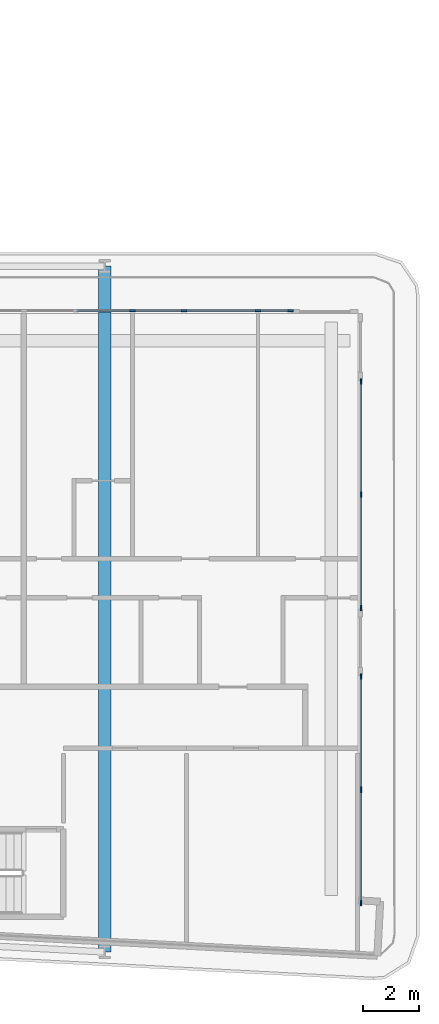
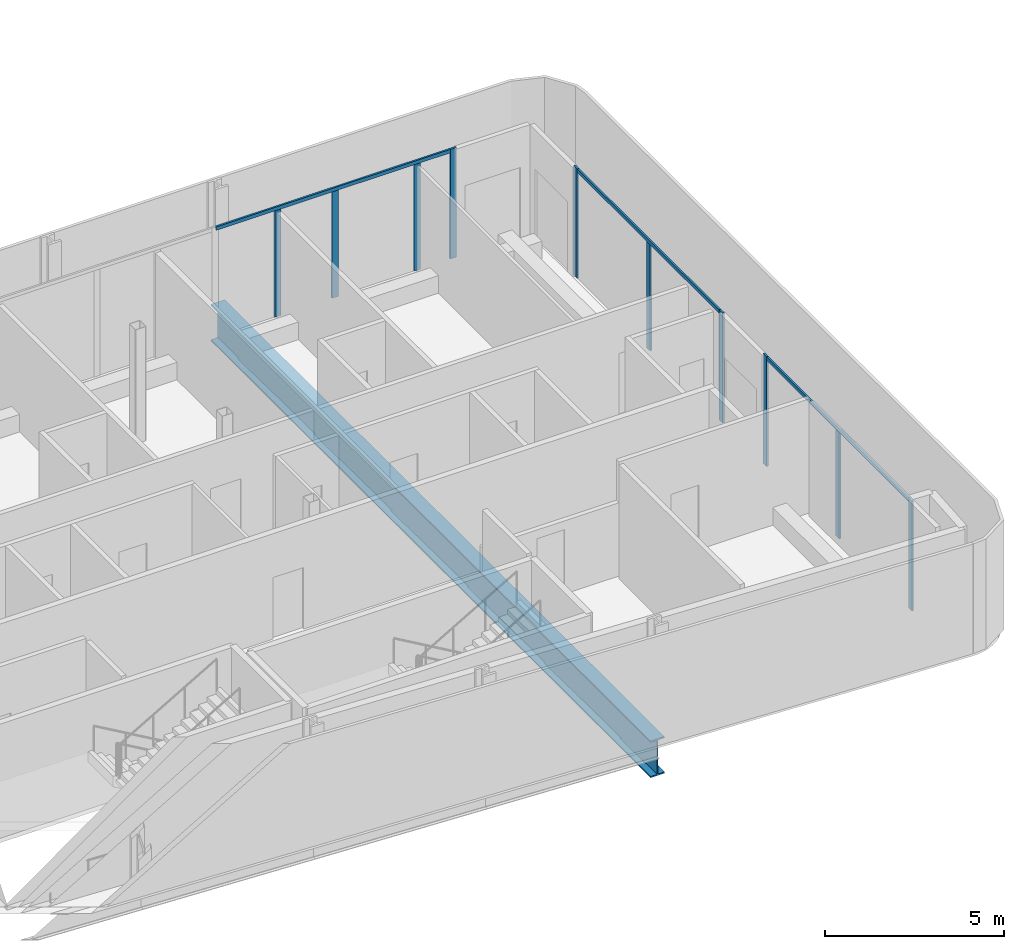
# One storey, part 8 of 29: 13 members, 1 beam, 3 elements without a shape of their own.
"""IFC4 building model written with IfcOpenShell, lengths in metres."""

from ifc_helpers import new_model, si_unit, direction, frame, origin, origin_2d, place, context, subcontext, project, spatial, rectangle, i_section, extrude, material, layer, layer_set, material_profile, profile_set, type_object, element, aggregate, save


model = new_model("IFC4")

# Units and contexts
model_context = context("Model", 3, precision=1e-05, world=origin(), true_north=direction((0.0, 1.0)))
body_context = subcontext(model_context, "Body", "Model", "MODEL_VIEW")
ifc_project = project(units=[si_unit("LENGTHUNIT", "METRE"), si_unit("AREAUNIT", "SQUARE_METRE"), si_unit("VOLUMEUNIT", "CUBIC_METRE"), si_unit("PLANEANGLEUNIT", "RADIAN"), si_unit("MASSUNIT", "GRAM", prefix="KILO")], contexts=[model_context])

# Site, building, storey
site_placement = place(None, origin())
site = spatial("IfcSite", under=ifc_project, at=site_placement, CompositionType="ELEMENT")
building_placement = place(site_placement, origin())
building = spatial("IfcBuilding", under=site, at=building_placement, Name="Kheshtan School and Residences Tower", CompositionType="ELEMENT")
storey_placement = place(building_placement, frame((0.0, 0.0, 65.60009765625)))
storey = spatial("IfcBuildingStorey", under=building, at=storey_placement, Name="L15", CompositionType="ELEMENT", Elevation=65.60009765625)

# Curtain wall, members
ifc_material_1 = material(Name="Clear low-e glass in thermally broken aluminium frame", Category="aluminium")
ifc_layer = layer(ifc_material_1, 0.199951171875)
ifc_layer_set = layer_set([ifc_layer], Name="Curtain wall CW-L")
curtain_wall_type = type_object("IfcCurtainWallType", Name="Curtain wall CW-L", PredefinedType="NOTDEFINED", material=ifc_layer_set)
curtain_wall_1_placement = place(storey_placement, origin())
curtain_wall_1 = element("IfcCurtainWall", 1, at=curtain_wall_1_placement, inside=storey, type_object=curtain_wall_type, Name="Curtain wall CWL12m", PredefinedType="NOTDEFINED")
ifc_material_2 = material(Name="Thermally broken aluminium, dark bronze anodised", Category="aluminium")
ifc_material_profile_1 = material_profile(ifc_material_2, rectangle(XDim=0.06005859375, YDim=0.199951171875, at=origin_2d()), Name="CW-L mullion 60x200")
ifc_profile_set_1 = profile_set([ifc_material_profile_1], Name="Thermally broken aluminium, dark bronze anodised")
member_type_1 = type_object("IfcMemberType", Name="CW-L mullion 60x200", PredefinedType="MULLION", material=ifc_profile_set_1)
member_1_placement = place(storey_placement, frame((91.800048828125, 44.0, 0.0), z_axis=(0.0, 0.0, 1.0), x_axis=(0.0, 1.0, 0.0)))
member_1 = element("IfcMember", 2, at=member_1_placement, type_object=member_type_1, Name="CWL12m mullion 2", PredefinedType="MULLION", context=body_context, shape_type="SweptSolid", body=[
    extrude(rectangle(XDim=0.06005859375, YDim=0.199951171875, at=origin_2d()), origin(), (0.0, 0.0, 1.0), 3.6298828125),
])
member_2_placement = place(storey_placement, frame((93.653076171875, 44.0, 0.0), z_axis=(0.0, 0.0, 1.0), x_axis=(0.0, 1.0, 0.0)))
member_2 = element("IfcMember", 3, at=member_2_placement, type_object=member_type_1, Name="CWL12m mullion 3", PredefinedType="MULLION", context=body_context, shape_type="SweptSolid", body=[
    extrude(rectangle(XDim=0.06005859375, YDim=0.199951171875, at=origin_2d()), origin(), (0.0, 0.0, 1.0), 3.6298828125),
])
member_3_placement = place(storey_placement, frame((96.300048828125, 44.0, 0.0), z_axis=(0.0, 0.0, 1.0), x_axis=(0.0, 1.0, 0.0)))
member_3 = element("IfcMember", 4, at=member_3_placement, type_object=member_type_1, Name="CWL12m mullion 4", PredefinedType="MULLION", context=body_context, shape_type="SweptSolid", body=[
    extrude(rectangle(XDim=0.06005859375, YDim=0.199951171875, at=origin_2d()), origin(), (0.0, 0.0, 1.0), 3.6298828125),
])
member_4_placement = place(storey_placement, frame((97.469970703125, 44.0, 0.0), z_axis=(0.0, 0.0, 1.0), x_axis=(0.0, 1.0, 0.0)))
member_4 = element("IfcMember", 5, at=member_4_placement, type_object=member_type_1, Name="CWL12m mullion 5", PredefinedType="MULLION", context=body_context, shape_type="SweptSolid", body=[
    extrude(rectangle(XDim=0.06005859375, YDim=0.199951171875, at=origin_2d()), origin(), (0.0, 0.0, 1.0), 3.75),
])

curtain_wall_2_placement = place(storey_placement, origin())
curtain_wall_2 = element("IfcCurtainWall", 6, at=curtain_wall_2_placement, inside=storey, type_object=curtain_wall_type, Name="Curtain wall CWL13b", PredefinedType="NOTDEFINED")
member_5_placement = place(storey_placement, frame((100.0, 41.469970703125, 0.0), z_axis=(0.0, 0.0, 1.0), x_axis=(1.0, 0.0, 0.0)))
member_5 = element("IfcMember", 7, at=member_5_placement, type_object=member_type_1, Name="CWL13b mullion 1", PredefinedType="MULLION", context=body_context, shape_type="SweptSolid", body=[
    extrude(rectangle(XDim=0.06005859375, YDim=0.199951171875, at=origin_2d()), origin(), (0.0, 0.0, 1.0), 3.75),
])
member_6_placement = place(storey_placement, frame((100.0, 37.403564453125, 0.0), z_axis=(0.0, 0.0, 1.0), x_axis=(1.0, 0.0, 0.0)))
member_6 = element("IfcMember", 8, at=member_6_placement, type_object=member_type_1, Name="CWL13b mullion 2", PredefinedType="MULLION", context=body_context, shape_type="SweptSolid", body=[
    extrude(rectangle(XDim=0.06005859375, YDim=0.199951171875, at=origin_2d()), origin(), (0.0, 0.0, 1.0), 3.6298828125),
])
member_7_placement = place(storey_placement, frame((100.0, 33.3369140625, 0.0), z_axis=(0.0, 0.0, 1.0), x_axis=(1.0, 0.0, 0.0)))
member_7 = element("IfcMember", 9, at=member_7_placement, type_object=member_type_1, Name="CWL13b mullion 3", PredefinedType="MULLION", context=body_context, shape_type="SweptSolid", body=[
    extrude(rectangle(XDim=0.06005859375, YDim=0.199951171875, at=origin_2d()), origin(), (0.0, 0.0, 1.0), 3.75),
])

curtain_wall_3_placement = place(storey_placement, origin())
curtain_wall_3 = element("IfcCurtainWall", 10, at=curtain_wall_3_placement, inside=storey, type_object=curtain_wall_type, Name="Curtain wall CWL13b", PredefinedType="NOTDEFINED")
member_8_placement = place(storey_placement, frame((100.0, 30.876953125, 0.0), z_axis=(0.0, 0.0, 1.0), x_axis=(1.0, 0.0, 0.0)))
member_8 = element("IfcMember", 11, at=member_8_placement, type_object=member_type_1, Name="CWL13b mullion 1", PredefinedType="MULLION", context=body_context, shape_type="SweptSolid", body=[
    extrude(rectangle(XDim=0.06005859375, YDim=0.199951171875, at=origin_2d()), origin(), (0.0, 0.0, 1.0), 3.75),
])
member_9_placement = place(storey_placement, frame((100.0, 26.810546875, 0.0), z_axis=(0.0, 0.0, 1.0), x_axis=(1.0, 0.0, 0.0)))
member_9 = element("IfcMember", 12, at=member_9_placement, type_object=member_type_1, Name="CWL13b mullion 2", PredefinedType="MULLION", context=body_context, shape_type="SweptSolid", body=[
    extrude(rectangle(XDim=0.06005859375, YDim=0.199951171875, at=origin_2d()), origin(), (0.0, 0.0, 1.0), 3.6298828125),
])
member_10_placement = place(storey_placement, frame((100.0, 22.743896484375, 0.0), z_axis=(0.0, 0.0, 1.0), x_axis=(1.0, 0.0, 0.0)))
member_10 = element("IfcMember", 13, at=member_10_placement, type_object=member_type_1, Name="CWL13b mullion 3", PredefinedType="MULLION", context=body_context, shape_type="SweptSolid", body=[
    extrude(rectangle(XDim=0.06005859375, YDim=0.199951171875, at=origin_2d()), origin(), (0.0, 0.0, 1.0), 3.75),
])

# Member
ifc_material_profile_2 = material_profile(ifc_material_2, rectangle(XDim=0.06005859375, YDim=0.1201171875, at=origin_2d()), Name="CW-L transom 60x120")
ifc_profile_set_2 = profile_set([ifc_material_profile_2], Name="Thermally broken aluminium, dark bronze anodised")
member_type_2 = type_object("IfcMemberType", Name="CW-L transom 60x120", PredefinedType="USERDEFINED", material=ifc_profile_set_2)
member_11_placement = place(storey_placement, frame((89.805908203125, 44.0, 3.68994140625), z_axis=(1.0, 0.0, 0.0), x_axis=(0.0, 1.0, 0.0)))
member_11 = element("IfcMember", 14, at=member_11_placement, type_object=member_type_2, Name="CWL12m transom 1", ObjectType="TRANSOM", PredefinedType="USERDEFINED", context=body_context, shape_type="SweptSolid", body=[
    extrude(rectangle(XDim=0.06005859375, YDim=0.1201171875, at=origin_2d()), origin(), (0.0, 0.0, 1.0), 7.634033203125),
])

aggregate(curtain_wall_1, [member_1, member_2, member_3, member_4, member_11])

member_12_placement = place(storey_placement, frame((100.0, 41.43994140625, 3.68994140625), z_axis=(0.0, -1.0, 0.0), x_axis=(1.0, 0.0, 0.0)))
member_12 = element("IfcMember", 15, at=member_12_placement, type_object=member_type_2, Name="CWL13b transom 1", ObjectType="TRANSOM", PredefinedType="USERDEFINED", context=body_context, shape_type="SweptSolid", body=[
    extrude(rectangle(XDim=0.06005859375, YDim=0.1201171875, at=origin_2d()), origin(), (0.0, 0.0, 1.0), 8.072998046875),
])

aggregate(curtain_wall_2, [member_5, member_6, member_7, member_12])

member_13_placement = place(storey_placement, frame((100.0, 30.846923828125, 3.68994140625), z_axis=(0.0, -1.0, 0.0), x_axis=(1.0, 0.0, 0.0)))
member_13 = element("IfcMember", 16, at=member_13_placement, type_object=member_type_2, Name="CWL13b transom 1", ObjectType="TRANSOM", PredefinedType="USERDEFINED", context=body_context, shape_type="SweptSolid", body=[
    extrude(rectangle(XDim=0.06005859375, YDim=0.1201171875, at=origin_2d()), origin(), (0.0, 0.0, 1.0), 8.072998046875),
])

aggregate(curtain_wall_3, [member_8, member_9, member_10, member_13])

# Beam
ifc_material_3 = material(Name="Steel ASTM A992 Grade 50", Category="steel")
ifc_material_profile_3 = material_profile(ifc_material_3, i_section(OverallWidth=0.449951171875, OverallDepth=1.25, WebThickness=0.02490234375, FlangeThickness=0.044921875, FilletRadius=0.03759765625, at=origin_2d()), Name="WWF1250x546")
ifc_profile_set_3 = profile_set([ifc_material_profile_3], Name="Steel ASTM A992 Grade 50")
beam_type = type_object("IfcBeamType", Name="Transfer girder TG4 WWF1250x546 ASTM A992 Grade 50", PredefinedType="BEAM", material=ifc_profile_set_3)
beam_placement = place(storey_placement, frame((90.800048828125, 45.60009765625, -0.775146484375), z_axis=(0.0, -1.0, 0.0), x_axis=(1.0, 0.0, 0.0)))
element("IfcBeam", 17, at=beam_placement, inside=storey, type_object=beam_type, Name="Transfer girder C068-C006", PredefinedType="BEAM", context=body_context, shape_type="SweptSolid", body=[
    extrude(i_section(OverallWidth=0.449951171875, OverallDepth=1.25, WebThickness=0.02490234375, FlangeThickness=0.044921875, FilletRadius=0.03759765625, at=origin_2d()), origin(), (0.0, 0.0, 1.0), 24.610107421875),
])

save(model, "model.ifc")
